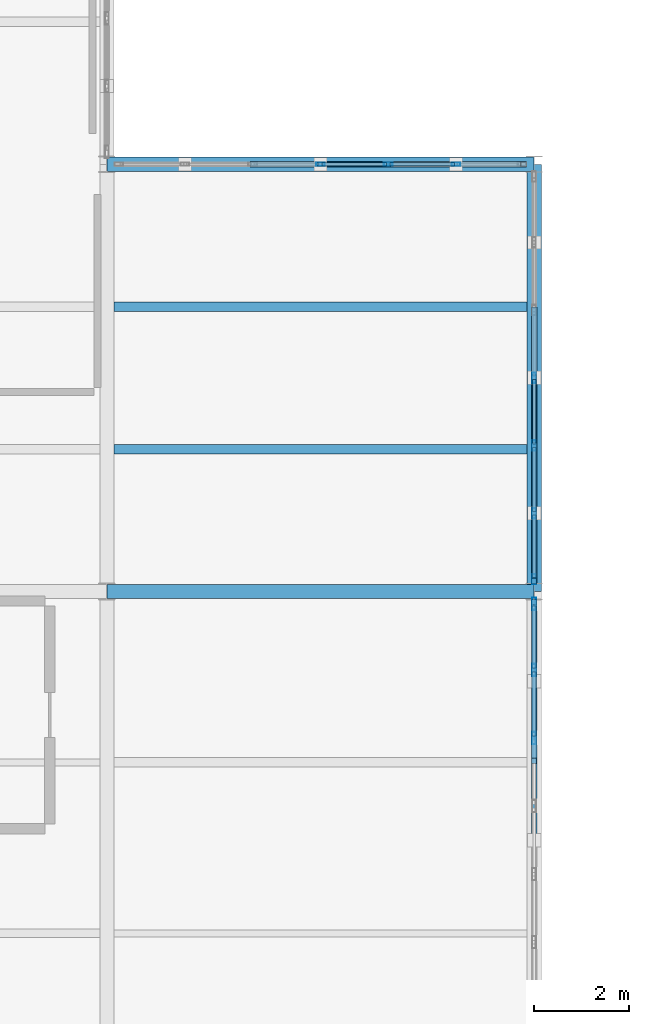
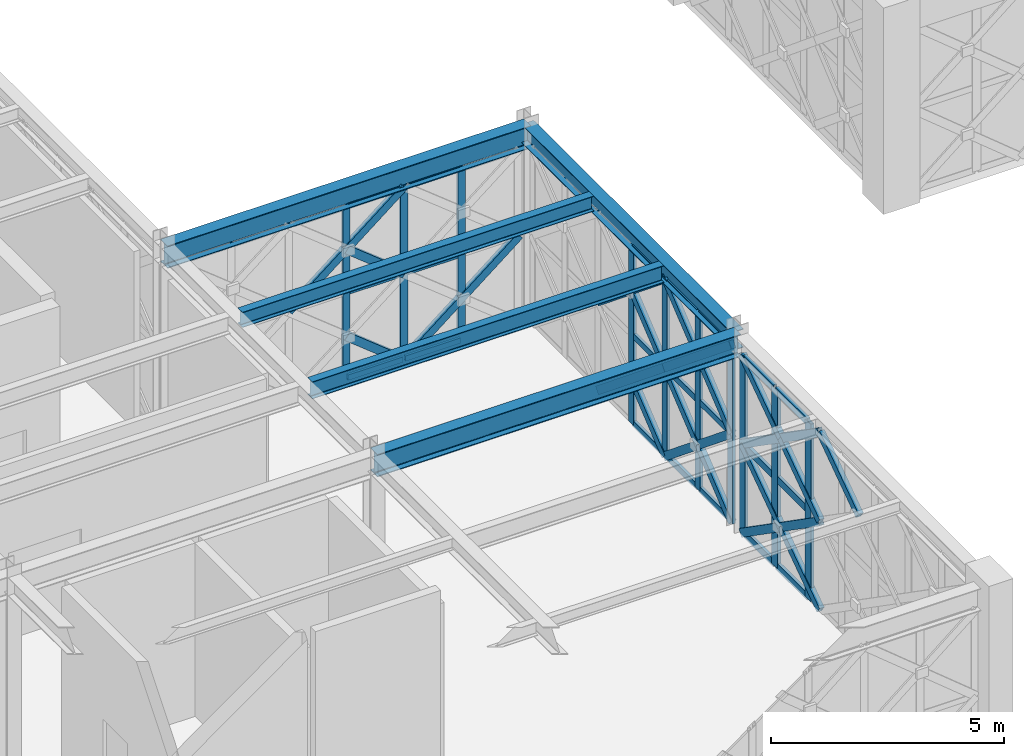
# One storey, part 43 of 166: 52 members, 5 beams, 3 elements without a shape of their own.
"""IFC4 building model written with IfcOpenShell, lengths in metres."""

import ifcopenshell
import ifcopenshell.guid

model = None  # the IFC model being written
_history = None  # IfcOwnerHistory: only IFC2X3 demands one
_inside = {}  # id of a spatial element -> (the spatial element, [elements in it])
_under = {}  # id of a project, library or spatial element -> (it, [spatial elements below it])
_declared = {}  # id of a project -> (the project, [libraries it declares])
_typed = {}  # id of a type object -> (the type object, [elements of that type])
_made_of = {}  # id of a material, layer set ... -> (it, [elements and type objects made of it])


def new_model(schema):
    """Start an empty IFC model of exactly this schema.

    Asked for "IFC4X3", IfcOpenShell would pick the latest addendum, in which some entities
    have other attributes; the version numbers below select the first issue.
    IFC2X3 requires an IfcOwnerHistory on every rooted entity: one is made here for all.
    """
    global model, _history
    if schema == "IFC4X3":
        model = ifcopenshell.file(schema_version=(4, 3, 0, 0))
    else:
        model = ifcopenshell.file(schema=schema)
    _inside.clear()
    _under.clear()
    _declared.clear()
    _typed.clear()
    _made_of.clear()
    _history = None
    if model.schema == "IFC2X3":
        org = make("IfcOrganization", Name="unknown")
        user = make(
            "IfcPersonAndOrganization",
            ThePerson=make("IfcPerson", FamilyName="unknown"),
            TheOrganization=org,
        )
        app = make(
            "IfcApplication",
            ApplicationDeveloper=org,
            Version="unknown",
            ApplicationFullName="unknown",
            ApplicationIdentifier="unknown",
        )
        _history = make(
            "IfcOwnerHistory",
            OwningUser=user,
            OwningApplication=app,
            ChangeAction="ADDED",
            CreationDate=0,
        )
    return model


def make(cls, **values):
    """One entity of the class cls with the attributes given. An attribute that is None is left unset."""
    return model.create_entity(
        cls, **{name: value for name, value in values.items() if value is not None}
    )


def rooted(cls, **values):
    """An entity with a GlobalId (a new one), such as an element, a storey or a relation."""
    return make(cls, GlobalId=ifcopenshell.guid.new(), OwnerHistory=_history, **values)


def si_unit(unit_type, name, prefix=None):
    """IfcSIUnit, for example si_unit("LENGTHUNIT", "METRE", prefix="MILLI")."""
    return make("IfcSIUnit", UnitType=unit_type, Prefix=prefix, Name=name)


def assignment(units):
    """IfcUnitAssignment: the units of a project."""
    return None if units is None else make("IfcUnitAssignment", Units=units)


def point(xyz):
    """IfcCartesianPoint."""
    return None if xyz is None else make("IfcCartesianPoint", Coordinates=xyz)


def direction(xyz):
    """IfcDirection."""
    return None if xyz is None else make("IfcDirection", DirectionRatios=xyz)


def frame(location, z_axis=None, x_axis=None):
    """IfcAxis2Placement3D, a coordinate frame: its origin and axes. An axis left out is left unset."""
    return make(
        "IfcAxis2Placement3D",
        Location=point(location),
        Axis=direction(z_axis),
        RefDirection=direction(x_axis),
    )


def frame_2d(location, x_axis=None):
    """IfcAxis2Placement2D, a coordinate frame in the plane: its origin and x axis."""
    return make(
        "IfcAxis2Placement2D", Location=point(location), RefDirection=direction(x_axis)
    )


def origin():
    """The frame at (0, 0, 0) with its axes left unset."""
    return frame((0.0, 0.0, 0.0))


def origin_2d():
    """The frame at (0, 0) in the plane with its x axis left unset."""
    return frame_2d((0.0, 0.0))


def place(relative_to, where):
    """IfcLocalPlacement: puts the frame where relative to a parent placement (None: the world)."""
    return make(
        "IfcLocalPlacement", PlacementRelTo=relative_to, RelativePlacement=where
    )


def context(
    kind, dimensions, precision=None, world=None, true_north=None, identifier=None
):
    """IfcGeometricRepresentationContext, for example the 3D "Model" context."""
    return make(
        "IfcGeometricRepresentationContext",
        ContextIdentifier=identifier,
        ContextType=kind,
        CoordinateSpaceDimension=dimensions,
        Precision=precision,
        WorldCoordinateSystem=world,
        TrueNorth=true_north,
    )


def subcontext(parent, identifier, kind, view, scale=None):
    """IfcGeometricRepresentationSubContext, for example "Body" below "Model"."""
    return make(
        "IfcGeometricRepresentationSubContext",
        ContextIdentifier=identifier,
        ContextType=kind,
        ParentContext=parent,
        TargetScale=scale,
        TargetView=view,
    )


def project(units=None, contexts=None):
    """IfcProject with its units and contexts."""
    return rooted(
        "IfcProject",
        Name="project",
        RepresentationContexts=contexts,
        UnitsInContext=assignment(units),
    )


def spatial(cls, under=None, at=None, **own):
    """A site, building, storey or space (cls), placed at a placement, below another one or the project."""
    s = rooted(cls, ObjectPlacement=at, **own)
    if under is not None:
        _under.setdefault(under.id(), (under, []))[1].append(s)
    return s


def profile(cls, at=None, kind="AREA", **sizes):
    """A parametric profile (cls). Its sizes go by their IFC names, for example OverallWidth=200.0."""
    return make(cls, ProfileType=kind, Position=at, **sizes)


def hollow_rectangle(**sizes):
    """IfcRectangleHollowProfileDef."""
    return profile("IfcRectangleHollowProfileDef", **sizes)


def i_section(**sizes):
    """IfcIShapeProfileDef."""
    return profile("IfcIShapeProfileDef", **sizes)


def extrude(swept, where, along, depth):
    """IfcExtrudedAreaSolid: the profile swept, set in the frame where, extruded along a direction by depth."""
    return make(
        "IfcExtrudedAreaSolid",
        SweptArea=swept,
        Position=where,
        ExtrudedDirection=direction(along),
        Depth=depth,
    )


def shape(context_of_items, identifier, shape_type, items):
    """IfcShapeRepresentation: the items that make up one representation, for example the "Body"."""
    return make(
        "IfcShapeRepresentation",
        ContextOfItems=context_of_items,
        RepresentationIdentifier=identifier,
        RepresentationType=shape_type,
        Items=items,
    )


def material(Name=None, Category=None):
    """IfcMaterial."""
    return make("IfcMaterial", Name=Name, Category=Category)


def material_profile(
    of_material, cross_section, Name=None, Category=None, Priority=None
):
    """IfcMaterialProfile: a cross section and its material."""
    return make(
        "IfcMaterialProfile",
        Name=Name,
        Material=of_material,
        Profile=cross_section,
        Priority=Priority,
        Category=Category,
    )


def profile_set(profiles, Name=None, composite=None):
    """IfcMaterialProfileSet."""
    return make(
        "IfcMaterialProfileSet",
        Name=Name,
        MaterialProfiles=profiles,
        CompositeProfile=composite,
    )


def made_of(thing, what):
    """Note that an element or type object is made of a material, layer set ...; save() writes the relation."""
    if what is not None:
        _made_of.setdefault(what.id(), (what, []))[1].append(thing)
    return thing


def type_object(cls, material=None, **own):
    """A type object (cls), such as IfcWallType, which elements share."""
    return made_of(rooted(cls, **own), material)


def element(
    cls,
    number,
    at=None,
    inside=None,
    cuts=None,
    type_object=None,
    material=None,
    context=None,
    identifier="Body",
    shape_type=None,
    held_by="IfcProductDefinitionShape",
    body=None,
    shapes=None,
    **own,
):
    """One element of the class cls, such as IfcWall. Its Tag is "e" and its number.

    at: its placement. inside: the storey or other place that contains it. cuts: it is an
    opening in that element (IfcRelVoidsElement). A single representation is given by context,
    identifier, shape_type and body (its items); several are given by shapes. held_by: the class
    of the entity that holds the representations. save() writes the other relations.
    """
    e = rooted(cls, Tag="e%d" % number, ObjectPlacement=at, **own)
    if body is not None:
        shapes = [shape(context, identifier, shape_type, body)]
    if shapes is not None:
        e.Representation = make(held_by, Representations=shapes)
    if inside is not None:
        _inside.setdefault(inside.id(), (inside, []))[1].append(e)
    if cuts is not None:
        rooted(
            "IfcRelVoidsElement", RelatingBuildingElement=cuts, RelatedOpeningElement=e
        )
    if type_object is not None:
        _typed.setdefault(type_object.id(), (type_object, []))[1].append(e)
    return made_of(e, material)


def aggregate(whole, parts):
    """IfcRelAggregates: a whole, such as a stair, and the parts it consists of."""
    return rooted("IfcRelAggregates", RelatingObject=whole, RelatedObjects=parts)


def save(model, path):
    """Write the relations noted so far, then the file.

    IfcRelAggregates (storeys below a building ...), IfcRelContainedInSpatialStructure (elements
    in a storey), IfcRelDefinesByType, IfcRelAssociatesMaterial and IfcRelDeclares: one each for
    every whole, place, type object, material and project.
    """
    for whole, parts in _under.values():
        aggregate(whole, parts)
    for where, things in _inside.values():
        rooted(
            "IfcRelContainedInSpatialStructure",
            RelatedElements=things,
            RelatingStructure=where,
        )
    for kind, things in _typed.values():
        rooted("IfcRelDefinesByType", RelatedObjects=things, RelatingType=kind)
    for what, things in _made_of.values():
        rooted("IfcRelAssociatesMaterial", RelatedObjects=things, RelatingMaterial=what)
    for by, libraries in _declared.values():
        rooted("IfcRelDeclares", RelatingContext=by, RelatedDefinitions=libraries)
    model.write(path)


model = new_model("IFC4")

# Units and contexts
model_context = context("Model", 3, precision=1e-05, world=origin(), true_north=direction((0.0, 1.0)))
body_context = subcontext(model_context, "Body", "Model", "MODEL_VIEW")
ifc_project = project(units=[si_unit("LENGTHUNIT", "METRE"), si_unit("AREAUNIT", "SQUARE_METRE"), si_unit("VOLUMEUNIT", "CUBIC_METRE"), si_unit("PLANEANGLEUNIT", "RADIAN"), si_unit("MASSUNIT", "GRAM", prefix="KILO")], contexts=[model_context])

# Site, building, storey
site_placement = place(None, origin())
site = spatial("IfcSite", under=ifc_project, at=site_placement, CompositionType="ELEMENT")
building_placement = place(site_placement, origin())
building = spatial("IfcBuilding", under=site, at=building_placement, Name="Haizhuo Lancet Aquarium", CompositionType="ELEMENT")
storey_placement = place(building_placement, frame((0.0, 0.0, 5.39990234375)))
storey = spatial("IfcBuildingStorey", under=building, at=storey_placement, Name="L01", CompositionType="ELEMENT", Elevation=5.39990234375)

# Beams
ifc_material_1 = material(Name="Steel S355", Category="steel")
ifc_material_profile_1 = material_profile(ifc_material_1, i_section(OverallWidth=0.300048828125, OverallDepth=0.488037109375, WebThickness=0.010986328125, FlangeThickness=0.01806640625, FilletRadius=0.02392578125, at=origin_2d()), Name="HM 488x300x11x18")
ifc_profile_set_1 = profile_set([ifc_material_profile_1], Name="Steel S355")
beam_type_1 = type_object("IfcBeamType", Name="BM-ST-HM488", PredefinedType="BEAM", material=ifc_profile_set_1)
beam_1_placement = place(storey_placement, frame((18.0, -45.0, 4.89599609375), z_axis=(0.0, 1.0, 0.0), x_axis=(-1.0, 0.0, 0.0)))
element("IfcBeam", 1, at=beam_1_placement, inside=storey, type_object=beam_type_1, Name="L01 V4 primary girder BM-L01-V4-027", PredefinedType="BEAM", context=body_context, shape_type="SweptSolid", body=[
    extrude(i_section(OverallWidth=0.300048828125, OverallDepth=0.488037109375, WebThickness=0.010986328125, FlangeThickness=0.01806640625, FilletRadius=0.02392578125, at=origin_2d()), origin(), (0.0, 0.0, 1.0), 9.0),
])
ifc_material_profile_2 = material_profile(ifc_material_1, i_section(OverallWidth=0.300048828125, OverallDepth=0.587890625, WebThickness=0.011962890625, FlangeThickness=0.02001953125, FilletRadius=0.02587890625, at=origin_2d()), Name="HM 588x300x12x20")
ifc_profile_set_2 = profile_set([ifc_material_profile_2], Name="Steel S355")
beam_type_2 = type_object("IfcBeamType", Name="BM-ST-HM588", PredefinedType="BEAM", material=ifc_profile_set_2)
for number, where, z_axis, x_axis, name in (
    (2, (9.0, -45.0, 4.84619140625), (1.0, 0.0, 0.0), (0.0, 1.0, 0.0), "L01 V4 primary girder BM-L01-V4-023"),
    (3, (9.0, -36.0, 4.84619140625), (1.0, 0.0, 0.0), (0.0, 1.0, 0.0), "L01 V4 primary girder BM-L01-V4-025"),
):
    element("IfcBeam", number, at=place(storey_placement, frame(where, z_axis=z_axis, x_axis=x_axis)), inside=storey, type_object=beam_type_2, Name=name, PredefinedType="BEAM", context=body_context, shape_type="SweptSolid", body=[
        extrude(i_section(OverallWidth=0.300048828125, OverallDepth=0.587890625, WebThickness=0.011962890625, FlangeThickness=0.02001953125, FilletRadius=0.02587890625, at=origin_2d()), origin(), (0.0, 0.0, 1.0), 9.0),
    ])

# Curtain wall, members
ifc_material_2 = material(Name="Aluminium 6063-T6", Category="aluminium")
curtain_wall_type_1 = type_object("IfcCurtainWallType", Name="CWO-8560x4550", PredefinedType="NOTDEFINED", material=ifc_material_2)
curtain_wall_1_placement = place(storey_placement, origin())
curtain_wall_1 = element("IfcCurtainWall", 4, at=curtain_wall_1_placement, inside=storey, type_object=curtain_wall_type_1, Name="L01 curtain wall CW-V4-L01-094", PredefinedType="NOTDEFINED")
ifc_material_profile_3 = material_profile(ifc_material_2, hollow_rectangle(XDim=0.06494140625, YDim=0.179931640625, WallThickness=0.00390625, at=origin_2d()), Name="ALU-M 65x180x4")
ifc_profile_set_3 = profile_set([ifc_material_profile_3], Name="Aluminium 6063-T6")
member_type_1 = type_object("IfcMemberType", Name="CW-MUL-1", PredefinedType="MULLION", material=ifc_profile_set_3)
member_1_placement = place(storey_placement, frame((13.5, -36.0, 0.0), z_axis=(0.0, 0.0, 1.0), x_axis=(0.0, 1.0, 0.0)))
member_1 = element("IfcMember", 5, at=member_1_placement, type_object=member_type_1, Name="CWO-85x45 mullion 4", PredefinedType="MULLION", context=body_context, shape_type="SweptSolid", body=[
    extrude(hollow_rectangle(XDim=0.06494140625, YDim=0.179931640625, WallThickness=0.00390625, at=origin_2d()), origin(), (0.0, 0.0, 1.0), 4.552001953125),
])
member_2_placement = place(storey_placement, frame((14.927001953125, -36.0, 0.0), z_axis=(0.0, 0.0, 1.0), x_axis=(0.0, 1.0, 0.0)))
member_2 = element("IfcMember", 6, at=member_2_placement, type_object=member_type_1, Name="CWO-85x45 mullion 5", PredefinedType="MULLION", context=body_context, shape_type="SweptSolid", body=[
    extrude(hollow_rectangle(XDim=0.06494140625, YDim=0.179931640625, WallThickness=0.00390625, at=origin_2d()), origin(), (0.0, 0.0, 1.0), 4.552001953125),
])
member_3_placement = place(storey_placement, frame((16.35302734375, -36.0, 0.0), z_axis=(0.0, 0.0, 1.0), x_axis=(0.0, 1.0, 0.0)))
member_3 = element("IfcMember", 7, at=member_3_placement, type_object=member_type_1, Name="CWO-85x45 mullion 6", PredefinedType="MULLION", context=body_context, shape_type="SweptSolid", body=[
    extrude(hollow_rectangle(XDim=0.06494140625, YDim=0.179931640625, WallThickness=0.00390625, at=origin_2d()), origin(), (0.0, 0.0, 1.0), 4.552001953125),
])

curtain_wall_type_2 = type_object("IfcCurtainWallType", Name="CWO-8560x4650", PredefinedType="NOTDEFINED", material=ifc_material_2)
curtain_wall_2_placement = place(storey_placement, origin())
curtain_wall_2 = element("IfcCurtainWall", 8, at=curtain_wall_2_placement, inside=storey, type_object=curtain_wall_type_2, Name="L01 curtain wall CW-V4-L01-095", PredefinedType="NOTDEFINED")
ifc_material_profile_4 = material_profile(ifc_material_2, hollow_rectangle(XDim=0.074951171875, YDim=0.219970703125, WallThickness=0.0048828125, at=origin_2d()), Name="ALU-M 75x220x5")
ifc_profile_set_4 = profile_set([ifc_material_profile_4], Name="Aluminium 6063-T6")
member_type_2 = type_object("IfcMemberType", Name="CW-MUL-2", PredefinedType="MULLION", material=ifc_profile_set_4)
member_4_placement = place(storey_placement, frame((18.0, -40.5, 0.0), z_axis=(0.0, 0.0, 1.0), x_axis=(1.0, 0.0, 0.0)))
member_4 = element("IfcMember", 9, at=member_4_placement, type_object=member_type_2, Name="CWO-85x46 mullion 4", PredefinedType="MULLION", context=body_context, shape_type="SweptSolid", body=[
    extrude(hollow_rectangle(XDim=0.074951171875, YDim=0.219970703125, WallThickness=0.0048828125, at=origin_2d()), origin(), (0.0, 0.0, 1.0), 4.652099609375),
])
member_5_placement = place(storey_placement, frame((18.0, -41.927001953125, 0.0), z_axis=(0.0, 0.0, 1.0), x_axis=(1.0, 0.0, 0.0)))
member_5 = element("IfcMember", 10, at=member_5_placement, type_object=member_type_2, Name="CWO-85x46 mullion 5", PredefinedType="MULLION", context=body_context, shape_type="SweptSolid", body=[
    extrude(hollow_rectangle(XDim=0.074951171875, YDim=0.219970703125, WallThickness=0.0048828125, at=origin_2d()), origin(), (0.0, 0.0, 1.0), 4.652099609375),
])
member_6_placement = place(storey_placement, frame((18.0, -43.35302734375, 0.0), z_axis=(0.0, 0.0, 1.0), x_axis=(1.0, 0.0, 0.0)))
member_6 = element("IfcMember", 11, at=member_6_placement, type_object=member_type_2, Name="CWO-85x46 mullion 6", PredefinedType="MULLION", context=body_context, shape_type="SweptSolid", body=[
    extrude(hollow_rectangle(XDim=0.074951171875, YDim=0.219970703125, WallThickness=0.0048828125, at=origin_2d()), origin(), (0.0, 0.0, 1.0), 4.652099609375),
])
member_7_placement = place(storey_placement, frame((18.0, -44.741943359375, 0.0), z_axis=(0.0, 0.0, 1.0), x_axis=(1.0, 0.0, 0.0)))
member_7 = element("IfcMember", 12, at=member_7_placement, type_object=member_type_2, Name="CWO-85x46 mullion 7", PredefinedType="MULLION", context=body_context, shape_type="SweptSolid", body=[
    extrude(hollow_rectangle(XDim=0.074951171875, YDim=0.219970703125, WallThickness=0.0048828125, at=origin_2d()), origin(), (0.0, 0.0, 1.0), 4.652099609375),
])

curtain_wall_type_3 = type_object("IfcCurtainWallType", Name="CWO-10040x4650", PredefinedType="NOTDEFINED", material=ifc_material_2)
curtain_wall_3_placement = place(storey_placement, origin())
curtain_wall_3 = element("IfcCurtainWall", 13, at=curtain_wall_3_placement, inside=storey, type_object=curtain_wall_type_3, Name="L01 curtain wall CW-V4-L01-096", PredefinedType="NOTDEFINED")
ifc_material_profile_5 = material_profile(ifc_material_2, hollow_rectangle(XDim=0.080078125, YDim=0.260009765625, WallThickness=0.0048828125, at=origin_2d()), Name="ALU-M 80x260x5")
ifc_profile_set_5 = profile_set([ifc_material_profile_5], Name="Aluminium 6063-T6")
member_type_3 = type_object("IfcMemberType", Name="CW-MUL-3", PredefinedType="MULLION", material=ifc_profile_set_5)
member_8_placement = place(storey_placement, frame((18.0, -45.260009765625, 0.0), z_axis=(0.0, 0.0, 1.0), x_axis=(1.0, 0.0, 0.0)))
member_8 = element("IfcMember", 14, at=member_8_placement, type_object=member_type_3, Name="CWO-100x46 mullion 1", PredefinedType="MULLION", context=body_context, shape_type="SweptSolid", body=[
    extrude(hollow_rectangle(XDim=0.080078125, YDim=0.260009765625, WallThickness=0.0048828125, at=origin_2d()), origin(), (0.0, 0.0, 1.0), 4.652099609375),
])
member_9_placement = place(storey_placement, frame((18.0, -46.654052734375, 0.0), z_axis=(0.0, 0.0, 1.0), x_axis=(1.0, 0.0, 0.0)))
member_9 = element("IfcMember", 15, at=member_9_placement, type_object=member_type_3, Name="CWO-100x46 mullion 2", PredefinedType="MULLION", context=body_context, shape_type="SweptSolid", body=[
    extrude(hollow_rectangle(XDim=0.080078125, YDim=0.260009765625, WallThickness=0.0048828125, at=origin_2d()), origin(), (0.0, 0.0, 1.0), 4.652099609375),
])
member_10_placement = place(storey_placement, frame((18.0, -48.0869140625, 0.0), z_axis=(0.0, 0.0, 1.0), x_axis=(1.0, 0.0, 0.0)))
member_10 = element("IfcMember", 16, at=member_10_placement, type_object=member_type_3, Name="CWO-100x46 mullion 3", PredefinedType="MULLION", context=body_context, shape_type="SweptSolid", body=[
    extrude(hollow_rectangle(XDim=0.080078125, YDim=0.260009765625, WallThickness=0.0048828125, at=origin_2d()), origin(), (0.0, 0.0, 1.0), 4.652099609375),
])

# Member
ifc_material_profile_6 = material_profile(ifc_material_2, hollow_rectangle(XDim=0.06494140625, YDim=0.139892578125, WallThickness=0.00390625, at=origin_2d()), Name="ALU-T 65x140x4")
ifc_profile_set_6 = profile_set([ifc_material_profile_6], Name="Aluminium 6063-T6")
member_type_4 = type_object("IfcMemberType", Name="CW-TRN-1", PredefinedType="NOTDEFINED", material=ifc_profile_set_6)
member_11_placement = place(storey_placement, frame((13.532958984375, -36.0, 0.033203125), z_axis=(1.0, 0.0, 0.0), x_axis=(0.0, 1.0, 0.0)))
member_11 = element("IfcMember", 17, at=member_11_placement, type_object=member_type_4, Name="CWO-85x45 transom 4.1", ObjectType="TRANSOM", PredefinedType="USERDEFINED", context=body_context, shape_type="SweptSolid", body=[
    extrude(hollow_rectangle(XDim=0.06494140625, YDim=0.139892578125, WallThickness=0.00390625, at=origin_2d()), origin(), (0.0, 0.0, 1.0), 1.361083984375),
])

member_12_placement = place(storey_placement, frame((13.532958984375, -36.0, 2.276123046875), z_axis=(1.0, 0.0, 0.0), x_axis=(0.0, 1.0, 0.0)))
member_12 = element("IfcMember", 18, at=member_12_placement, type_object=member_type_4, Name="CWO-85x45 transom 4.2", ObjectType="TRANSOM", PredefinedType="USERDEFINED", context=body_context, shape_type="SweptSolid", body=[
    extrude(hollow_rectangle(XDim=0.06494140625, YDim=0.139892578125, WallThickness=0.00390625, at=origin_2d()), origin(), (0.0, 0.0, 1.0), 1.361083984375),
])

member_13_placement = place(storey_placement, frame((13.532958984375, -36.0, 4.51904296875), z_axis=(1.0, 0.0, 0.0), x_axis=(0.0, 1.0, 0.0)))
member_13 = element("IfcMember", 19, at=member_13_placement, type_object=member_type_4, Name="CWO-85x45 transom 4.3", ObjectType="TRANSOM", PredefinedType="USERDEFINED", context=body_context, shape_type="SweptSolid", body=[
    extrude(hollow_rectangle(XDim=0.06494140625, YDim=0.139892578125, WallThickness=0.00390625, at=origin_2d()), origin(), (0.0, 0.0, 1.0), 1.361083984375),
])

member_14_placement = place(storey_placement, frame((14.958984375, -36.0, 0.033203125), z_axis=(1.0, 0.0, 0.0), x_axis=(0.0, 1.0, 0.0)))
member_14 = element("IfcMember", 20, at=member_14_placement, type_object=member_type_4, Name="CWO-85x45 transom 5.1", ObjectType="TRANSOM", PredefinedType="USERDEFINED", context=body_context, shape_type="SweptSolid", body=[
    extrude(hollow_rectangle(XDim=0.06494140625, YDim=0.139892578125, WallThickness=0.00390625, at=origin_2d()), origin(), (0.0, 0.0, 1.0), 1.362060546875),
])

member_15_placement = place(storey_placement, frame((14.958984375, -36.0, 2.276123046875), z_axis=(1.0, 0.0, 0.0), x_axis=(0.0, 1.0, 0.0)))
member_15 = element("IfcMember", 21, at=member_15_placement, type_object=member_type_4, Name="CWO-85x45 transom 5.2", ObjectType="TRANSOM", PredefinedType="USERDEFINED", context=body_context, shape_type="SweptSolid", body=[
    extrude(hollow_rectangle(XDim=0.06494140625, YDim=0.139892578125, WallThickness=0.00390625, at=origin_2d()), origin(), (0.0, 0.0, 1.0), 1.362060546875),
])

member_16_placement = place(storey_placement, frame((14.958984375, -36.0, 4.51904296875), z_axis=(1.0, 0.0, 0.0), x_axis=(0.0, 1.0, 0.0)))
member_16 = element("IfcMember", 22, at=member_16_placement, type_object=member_type_4, Name="CWO-85x45 transom 5.3", ObjectType="TRANSOM", PredefinedType="USERDEFINED", context=body_context, shape_type="SweptSolid", body=[
    extrude(hollow_rectangle(XDim=0.06494140625, YDim=0.139892578125, WallThickness=0.00390625, at=origin_2d()), origin(), (0.0, 0.0, 1.0), 1.362060546875),
])

aggregate(curtain_wall_1, [member_1, member_2, member_3, member_11, member_12, member_13, member_14, member_15, member_16])

ifc_material_profile_7 = material_profile(ifc_material_2, hollow_rectangle(XDim=0.074951171875, YDim=0.159912109375, WallThickness=0.00390625, at=origin_2d()), Name="ALU-T 75x160x4")
ifc_profile_set_7 = profile_set([ifc_material_profile_7], Name="Aluminium 6063-T6")
member_type_5 = type_object("IfcMemberType", Name="CW-TRN-2", PredefinedType="NOTDEFINED", material=ifc_profile_set_7)
member_17_placement = place(storey_placement, frame((18.0, -40.5380859375, 0.0380859375), z_axis=(0.0, -1.0, 0.0), x_axis=(1.0, 0.0, 0.0)))
member_17 = element("IfcMember", 23, at=member_17_placement, type_object=member_type_5, Name="CWO-85x46 transom 4.1", ObjectType="TRANSOM", PredefinedType="USERDEFINED", context=body_context, shape_type="SweptSolid", body=[
    extrude(hollow_rectangle(XDim=0.074951171875, YDim=0.159912109375, WallThickness=0.00390625, at=origin_2d()), origin(), (0.0, 0.0, 1.0), 1.350830078125),
])

member_18_placement = place(storey_placement, frame((18.0, -40.5380859375, 2.326171875), z_axis=(0.0, -1.0, 0.0), x_axis=(1.0, 0.0, 0.0)))
member_18 = element("IfcMember", 24, at=member_18_placement, type_object=member_type_5, Name="CWO-85x46 transom 4.2", ObjectType="TRANSOM", PredefinedType="USERDEFINED", context=body_context, shape_type="SweptSolid", body=[
    extrude(hollow_rectangle(XDim=0.074951171875, YDim=0.159912109375, WallThickness=0.00390625, at=origin_2d()), origin(), (0.0, 0.0, 1.0), 1.350830078125),
])

member_19_placement = place(storey_placement, frame((18.0, -40.5380859375, 4.614013671875), z_axis=(0.0, -1.0, 0.0), x_axis=(1.0, 0.0, 0.0)))
member_19 = element("IfcMember", 25, at=member_19_placement, type_object=member_type_5, Name="CWO-85x46 transom 4.3", ObjectType="TRANSOM", PredefinedType="USERDEFINED", context=body_context, shape_type="SweptSolid", body=[
    extrude(hollow_rectangle(XDim=0.074951171875, YDim=0.159912109375, WallThickness=0.00390625, at=origin_2d()), origin(), (0.0, 0.0, 1.0), 1.350830078125),
])

member_20_placement = place(storey_placement, frame((18.0, -41.964111328125, 0.0380859375), z_axis=(0.0, -1.0, 0.0), x_axis=(1.0, 0.0, 0.0)))
member_20 = element("IfcMember", 26, at=member_20_placement, type_object=member_type_5, Name="CWO-85x46 transom 5.1", ObjectType="TRANSOM", PredefinedType="USERDEFINED", context=body_context, shape_type="SweptSolid", body=[
    extrude(hollow_rectangle(XDim=0.074951171875, YDim=0.159912109375, WallThickness=0.00390625, at=origin_2d()), origin(), (0.0, 0.0, 1.0), 1.351806640625),
])

member_21_placement = place(storey_placement, frame((18.0, -41.964111328125, 2.326171875), z_axis=(0.0, -1.0, 0.0), x_axis=(1.0, 0.0, 0.0)))
member_21 = element("IfcMember", 27, at=member_21_placement, type_object=member_type_5, Name="CWO-85x46 transom 5.2", ObjectType="TRANSOM", PredefinedType="USERDEFINED", context=body_context, shape_type="SweptSolid", body=[
    extrude(hollow_rectangle(XDim=0.074951171875, YDim=0.159912109375, WallThickness=0.00390625, at=origin_2d()), origin(), (0.0, 0.0, 1.0), 1.351806640625),
])

member_22_placement = place(storey_placement, frame((18.0, -41.964111328125, 4.614013671875), z_axis=(0.0, -1.0, 0.0), x_axis=(1.0, 0.0, 0.0)))
member_22 = element("IfcMember", 28, at=member_22_placement, type_object=member_type_5, Name="CWO-85x46 transom 5.3", ObjectType="TRANSOM", PredefinedType="USERDEFINED", context=body_context, shape_type="SweptSolid", body=[
    extrude(hollow_rectangle(XDim=0.074951171875, YDim=0.159912109375, WallThickness=0.00390625, at=origin_2d()), origin(), (0.0, 0.0, 1.0), 1.351806640625),
])

member_23_placement = place(storey_placement, frame((18.0, -43.39111328125, 0.0380859375), z_axis=(0.0, -1.0, 0.0), x_axis=(1.0, 0.0, 0.0)))
member_23 = element("IfcMember", 29, at=member_23_placement, type_object=member_type_5, Name="CWO-85x46 transom 6.1", ObjectType="TRANSOM", PredefinedType="USERDEFINED", context=body_context, shape_type="SweptSolid", body=[
    extrude(hollow_rectangle(XDim=0.074951171875, YDim=0.159912109375, WallThickness=0.00390625, at=origin_2d()), origin(), (0.0, 0.0, 1.0), 1.31396484375),
])

member_24_placement = place(storey_placement, frame((18.0, -43.39111328125, 2.326171875), z_axis=(0.0, -1.0, 0.0), x_axis=(1.0, 0.0, 0.0)))
member_24 = element("IfcMember", 30, at=member_24_placement, type_object=member_type_5, Name="CWO-85x46 transom 6.2", ObjectType="TRANSOM", PredefinedType="USERDEFINED", context=body_context, shape_type="SweptSolid", body=[
    extrude(hollow_rectangle(XDim=0.074951171875, YDim=0.159912109375, WallThickness=0.00390625, at=origin_2d()), origin(), (0.0, 0.0, 1.0), 1.31396484375),
])

member_25_placement = place(storey_placement, frame((18.0, -43.39111328125, 4.614013671875), z_axis=(0.0, -1.0, 0.0), x_axis=(1.0, 0.0, 0.0)))
member_25 = element("IfcMember", 31, at=member_25_placement, type_object=member_type_5, Name="CWO-85x46 transom 6.3", ObjectType="TRANSOM", PredefinedType="USERDEFINED", context=body_context, shape_type="SweptSolid", body=[
    extrude(hollow_rectangle(XDim=0.074951171875, YDim=0.159912109375, WallThickness=0.00390625, at=origin_2d()), origin(), (0.0, 0.0, 1.0), 1.31396484375),
])

aggregate(curtain_wall_2, [member_4, member_5, member_6, member_7, member_17, member_18, member_19, member_20, member_21, member_22, member_23, member_24, member_25])

ifc_material_profile_8 = material_profile(ifc_material_2, hollow_rectangle(XDim=0.080078125, YDim=0.18994140625, WallThickness=0.0048828125, at=origin_2d()), Name="ALU-T 80x190x5")
ifc_profile_set_8 = profile_set([ifc_material_profile_8], Name="Aluminium 6063-T6")
member_type_6 = type_object("IfcMemberType", Name="CW-TRN-3", PredefinedType="NOTDEFINED", material=ifc_profile_set_8)
member_26_placement = place(storey_placement, frame((18.0, -45.300048828125, 0.0400390625), z_axis=(0.0, -1.0, 0.0), x_axis=(1.0, 0.0, 0.0)))
member_26 = element("IfcMember", 32, at=member_26_placement, type_object=member_type_6, Name="CWO-100x46 transom 1.1", ObjectType="TRANSOM", PredefinedType="USERDEFINED", context=body_context, shape_type="SweptSolid", body=[
    extrude(hollow_rectangle(XDim=0.080078125, YDim=0.18994140625, WallThickness=0.0048828125, at=origin_2d()), origin(), (0.0, 0.0, 1.0), 1.31396484375),
])

member_27_placement = place(storey_placement, frame((18.0, -45.300048828125, 2.326171875), z_axis=(0.0, -1.0, 0.0), x_axis=(1.0, 0.0, 0.0)))
member_27 = element("IfcMember", 33, at=member_27_placement, type_object=member_type_6, Name="CWO-100x46 transom 1.2", ObjectType="TRANSOM", PredefinedType="USERDEFINED", context=body_context, shape_type="SweptSolid", body=[
    extrude(hollow_rectangle(XDim=0.080078125, YDim=0.18994140625, WallThickness=0.0048828125, at=origin_2d()), origin(), (0.0, 0.0, 1.0), 1.31396484375),
])

member_28_placement = place(storey_placement, frame((18.0, -45.300048828125, 4.612060546875), z_axis=(0.0, -1.0, 0.0), x_axis=(1.0, 0.0, 0.0)))
member_28 = element("IfcMember", 34, at=member_28_placement, type_object=member_type_6, Name="CWO-100x46 transom 1.3", ObjectType="TRANSOM", PredefinedType="USERDEFINED", context=body_context, shape_type="SweptSolid", body=[
    extrude(hollow_rectangle(XDim=0.080078125, YDim=0.18994140625, WallThickness=0.0048828125, at=origin_2d()), origin(), (0.0, 0.0, 1.0), 1.31396484375),
])

member_29_placement = place(storey_placement, frame((18.0, -46.694091796875, 0.0400390625), z_axis=(0.0, -1.0, 0.0), x_axis=(1.0, 0.0, 0.0)))
member_29 = element("IfcMember", 35, at=member_29_placement, type_object=member_type_6, Name="CWO-100x46 transom 2.1", ObjectType="TRANSOM", PredefinedType="USERDEFINED", context=body_context, shape_type="SweptSolid", body=[
    extrude(hollow_rectangle(XDim=0.080078125, YDim=0.18994140625, WallThickness=0.0048828125, at=origin_2d()), origin(), (0.0, 0.0, 1.0), 1.35302734375),
])

member_30_placement = place(storey_placement, frame((18.0, -46.694091796875, 2.326171875), z_axis=(0.0, -1.0, 0.0), x_axis=(1.0, 0.0, 0.0)))
member_30 = element("IfcMember", 36, at=member_30_placement, type_object=member_type_6, Name="CWO-100x46 transom 2.2", ObjectType="TRANSOM", PredefinedType="USERDEFINED", context=body_context, shape_type="SweptSolid", body=[
    extrude(hollow_rectangle(XDim=0.080078125, YDim=0.18994140625, WallThickness=0.0048828125, at=origin_2d()), origin(), (0.0, 0.0, 1.0), 1.35302734375),
])

member_31_placement = place(storey_placement, frame((18.0, -46.694091796875, 4.612060546875), z_axis=(0.0, -1.0, 0.0), x_axis=(1.0, 0.0, 0.0)))
member_31 = element("IfcMember", 37, at=member_31_placement, type_object=member_type_6, Name="CWO-100x46 transom 2.3", ObjectType="TRANSOM", PredefinedType="USERDEFINED", context=body_context, shape_type="SweptSolid", body=[
    extrude(hollow_rectangle(XDim=0.080078125, YDim=0.18994140625, WallThickness=0.0048828125, at=origin_2d()), origin(), (0.0, 0.0, 1.0), 1.35302734375),
])

aggregate(curtain_wall_3, [member_8, member_9, member_10, member_26, member_27, member_28, member_29, member_30, member_31])

# Beams
ifc_material_profile_9 = material_profile(ifc_material_1, i_section(OverallWidth=0.199951171875, OverallDepth=0.39990234375, WebThickness=0.008056640625, FlangeThickness=0.012939453125, FilletRadius=0.01611328125, at=origin_2d()), Name="HN 400x200x8x13")
ifc_profile_set_9 = profile_set([ifc_material_profile_9], Name="Steel S355")
beam_type_3 = type_object("IfcBeamType", Name="JST-ST-HN400", PredefinedType="JOIST", material=ifc_profile_set_9)
beam_2_placement = place(storey_placement, frame((9.14990234375, -39.0, 4.940185546875), z_axis=(1.0, 0.0, 0.0), x_axis=(0.0, 1.0, 0.0)))
element("IfcBeam", 38, at=beam_2_placement, inside=storey, type_object=beam_type_3, Name="L01 V4 secondary floor joist 20", PredefinedType="JOIST", context=body_context, shape_type="SweptSolid", body=[
    extrude(i_section(OverallWidth=0.199951171875, OverallDepth=0.39990234375, WebThickness=0.008056640625, FlangeThickness=0.012939453125, FilletRadius=0.01611328125, at=origin_2d()), origin(), (0.0, 0.0, 1.0), 8.7001953125),
])
ifc_material_profile_10 = material_profile(ifc_material_1, i_section(OverallWidth=0.199951171875, OverallDepth=0.449951171875, WebThickness=0.009033203125, FlangeThickness=0.013916015625, FilletRadius=0.01806640625, at=origin_2d()), Name="HN 450x200x9x14")
ifc_profile_set_10 = profile_set([ifc_material_profile_10], Name="Steel S355")
beam_type_4 = type_object("IfcBeamType", Name="JST-ST-HN450", PredefinedType="JOIST", material=ifc_profile_set_10)
beam_3_placement = place(storey_placement, frame((9.14990234375, -42.0, 4.9150390625), z_axis=(1.0, 0.0, 0.0), x_axis=(0.0, 1.0, 0.0)))
element("IfcBeam", 39, at=beam_3_placement, inside=storey, type_object=beam_type_4, Name="L01 V4 secondary floor joist 19", PredefinedType="JOIST", context=body_context, shape_type="SweptSolid", body=[
    extrude(i_section(OverallWidth=0.199951171875, OverallDepth=0.449951171875, WebThickness=0.009033203125, FlangeThickness=0.013916015625, FilletRadius=0.01806640625, at=origin_2d()), origin(), (0.0, 0.0, 1.0), 8.7001953125),
])

# Members
ifc_material_profile_11 = material_profile(ifc_material_1, hollow_rectangle(XDim=0.1201171875, YDim=0.199951171875, WallThickness=0.008056640625, at=origin_2d()), Name="RHS 120x200x8")
ifc_profile_set_11 = profile_set([ifc_material_profile_11], Name="Steel S355")
member_type_7 = type_object("IfcMemberType", Name="MEM-LB-RHS120x200", PredefinedType="BRACE", material=ifc_profile_set_11)
member_32_placement = place(storey_placement, frame((14.927001953125, -36.0, 0.0), z_axis=(-0.781781404101, 0.0, 0.623552592972), x_axis=(0.0, -1.0, 0.0)))
element("IfcMember", 40, at=member_32_placement, inside=storey, type_object=member_type_7, Name="Gothic lancet split diagonal brace CW-V4-L01-094 3B1", PredefinedType="BRACE", context=body_context, shape_type="SweptSolid", body=[
    extrude(hollow_rectangle(XDim=0.1201171875, YDim=0.199951171875, WallThickness=0.008056640625, at=origin_2d()), origin(), (0.0, 0.0, 1.0), 1.825439453125),
])
member_33_placement = place(storey_placement, frame((12.072998046875, -36.0, 2.276123046875), z_axis=(0.781846607014, 0.0, 0.623470835807), x_axis=(0.0, 1.0, 0.0)))
element("IfcMember", 41, at=member_33_placement, inside=storey, type_object=member_type_7, Name="Gothic lancet continuous diagonal brace CW-V4-L01-094 4A", PredefinedType="BRACE", context=body_context, shape_type="SweptSolid", body=[
    extrude(hollow_rectangle(XDim=0.1201171875, YDim=0.199951171875, WallThickness=0.008056640625, at=origin_2d()), origin(), (0.0, 0.0, 1.0), 3.650390625),
])
member_34_placement = place(storey_placement, frame((14.927001953125, -36.0, 2.276123046875), z_axis=(-0.781846607014, 0.0, 0.623470835807), x_axis=(0.0, -1.0, 0.0)))
element("IfcMember", 42, at=member_34_placement, inside=storey, type_object=member_type_7, Name="Gothic lancet split diagonal brace CW-V4-L01-094 4B1", PredefinedType="BRACE", context=body_context, shape_type="SweptSolid", body=[
    extrude(hollow_rectangle(XDim=0.1201171875, YDim=0.199951171875, WallThickness=0.008056640625, at=origin_2d()), origin(), (0.0, 0.0, 1.0), 1.8251953125),
])
member_35_placement = place(storey_placement, frame((14.927001953125, -36.0, 0.0), z_axis=(0.781709971476, 0.0, 0.623642141372), x_axis=(0.0, 1.0, 0.0)))
element("IfcMember", 43, at=member_35_placement, inside=storey, type_object=member_type_7, Name="Gothic lancet continuous diagonal brace CW-V4-L01-094 5A", PredefinedType="BRACE", context=body_context, shape_type="SweptSolid", body=[
    extrude(hollow_rectangle(XDim=0.1201171875, YDim=0.199951171875, WallThickness=0.008056640625, at=origin_2d()), origin(), (0.0, 0.0, 1.0), 3.649658203125),
])
member_36_placement = place(storey_placement, frame((18.0, -39.072998046875, 0.0), z_axis=(0.0, -0.77514357805, 0.631785116481), x_axis=(1.0, 0.0, 0.0)))
element("IfcMember", 44, at=member_36_placement, inside=storey, type_object=member_type_7, Name="Gothic lancet continuous diagonal brace CW-V4-L01-095 3A", PredefinedType="BRACE", context=body_context, shape_type="SweptSolid", body=[
    extrude(hollow_rectangle(XDim=0.1201171875, YDim=0.199951171875, WallThickness=0.008056640625, at=origin_2d()), origin(), (0.0, 0.0, 1.0), 3.681884765625),
])
member_37_placement = place(storey_placement, frame((18.0, -41.927001953125, 0.0), z_axis=(0.0, 0.77514357805, 0.631785116481), x_axis=(-1.0, 0.0, 0.0)))
element("IfcMember", 45, at=member_37_placement, inside=storey, type_object=member_type_7, Name="Gothic lancet split diagonal brace CW-V4-L01-095 3B1", PredefinedType="BRACE", context=body_context, shape_type="SweptSolid", body=[
    extrude(hollow_rectangle(XDim=0.1201171875, YDim=0.199951171875, WallThickness=0.008056640625, at=origin_2d()), origin(), (0.0, 0.0, 1.0), 1.841064453125),
])
member_38_placement = place(storey_placement, frame((18.0, -39.072998046875, 2.326171875), z_axis=(0.0, -0.775176051146, 0.63174527282), x_axis=(1.0, 0.0, 0.0)))
element("IfcMember", 46, at=member_38_placement, inside=storey, type_object=member_type_7, Name="Gothic lancet continuous diagonal brace CW-V4-L01-095 4A", PredefinedType="BRACE", context=body_context, shape_type="SweptSolid", body=[
    extrude(hollow_rectangle(XDim=0.1201171875, YDim=0.199951171875, WallThickness=0.008056640625, at=origin_2d()), origin(), (0.0, 0.0, 1.0), 3.681640625),
])
member_39_placement = place(storey_placement, frame((18.0, -41.927001953125, 2.326171875), z_axis=(0.0, 0.775208524913, 0.631705424151), x_axis=(-1.0, 0.0, 0.0)))
element("IfcMember", 47, at=member_39_placement, inside=storey, type_object=member_type_7, Name="Gothic lancet split diagonal brace CW-V4-L01-095 4B1", PredefinedType="BRACE", context=body_context, shape_type="SweptSolid", body=[
    extrude(hollow_rectangle(XDim=0.1201171875, YDim=0.199951171875, WallThickness=0.008056640625, at=origin_2d()), origin(), (0.0, 0.0, 1.0), 1.8408203125),
])
member_40_placement = place(storey_placement, frame((18.0, -41.927001953125, 0.0), z_axis=(0.0, -0.775037676978, 0.631915025351), x_axis=(1.0, 0.0, 0.0)))
element("IfcMember", 48, at=member_40_placement, inside=storey, type_object=member_type_7, Name="Gothic lancet continuous diagonal brace CW-V4-L01-095 5A", PredefinedType="BRACE", context=body_context, shape_type="SweptSolid", body=[
    extrude(hollow_rectangle(XDim=0.1201171875, YDim=0.199951171875, WallThickness=0.008056640625, at=origin_2d()), origin(), (0.0, 0.0, 1.0), 3.68115234375),
])
member_41_placement = place(storey_placement, frame((18.0, -44.780029296875, 0.0), z_axis=(0.0, 0.77514357805, 0.631785116481), x_axis=(-1.0, 0.0, 0.0)))
element("IfcMember", 49, at=member_41_placement, inside=storey, type_object=member_type_7, Name="Gothic lancet split diagonal brace CW-V4-L01-095 5B1", PredefinedType="BRACE", context=body_context, shape_type="SweptSolid", body=[
    extrude(hollow_rectangle(XDim=0.1201171875, YDim=0.199951171875, WallThickness=0.008056640625, at=origin_2d()), origin(), (0.0, 0.0, 1.0), 1.841064453125),
])
member_42_placement = place(storey_placement, frame((18.0, -43.35302734375, 1.1630859375), z_axis=(0.0, 0.774931710564, 0.63204496989), x_axis=(-1.0, 0.0, 0.0)))
element("IfcMember", 50, at=member_42_placement, inside=storey, type_object=member_type_7, Name="Gothic lancet split diagonal brace CW-V4-L01-095 5B2", PredefinedType="BRACE", context=body_context, shape_type="SweptSolid", body=[
    extrude(hollow_rectangle(XDim=0.1201171875, YDim=0.199951171875, WallThickness=0.008056640625, at=origin_2d()), origin(), (0.0, 0.0, 1.0), 1.840087890625),
])
member_43_placement = place(storey_placement, frame((18.0, -41.927001953125, 2.326171875), z_axis=(0.0, -0.775070158992, 0.631875184384), x_axis=(1.0, 0.0, 0.0)))
element("IfcMember", 51, at=member_43_placement, inside=storey, type_object=member_type_7, Name="Gothic lancet continuous diagonal brace CW-V4-L01-095 6A", PredefinedType="BRACE", context=body_context, shape_type="SweptSolid", body=[
    extrude(hollow_rectangle(XDim=0.1201171875, YDim=0.199951171875, WallThickness=0.008056640625, at=origin_2d()), origin(), (0.0, 0.0, 1.0), 3.680908203125),
])
member_44_placement = place(storey_placement, frame((18.0, -44.780029296875, 2.326171875), z_axis=(0.0, 0.775208524913, 0.631705424151), x_axis=(-1.0, 0.0, 0.0)))
element("IfcMember", 52, at=member_44_placement, inside=storey, type_object=member_type_7, Name="Gothic lancet split diagonal brace CW-V4-L01-095 6B1", PredefinedType="BRACE", context=body_context, shape_type="SweptSolid", body=[
    extrude(hollow_rectangle(XDim=0.1201171875, YDim=0.199951171875, WallThickness=0.008056640625, at=origin_2d()), origin(), (0.0, 0.0, 1.0), 1.8408203125),
])
member_45_placement = place(storey_placement, frame((18.0, -43.35302734375, 3.489013671875), z_axis=(0.0, 0.774931710564, 0.63204496989), x_axis=(-1.0, 0.0, 0.0)))
element("IfcMember", 53, at=member_45_placement, inside=storey, type_object=member_type_7, Name="Gothic lancet split diagonal brace CW-V4-L01-095 6B2", PredefinedType="BRACE", context=body_context, shape_type="SweptSolid", body=[
    extrude(hollow_rectangle(XDim=0.1201171875, YDim=0.199951171875, WallThickness=0.008056640625, at=origin_2d()), origin(), (0.0, 0.0, 1.0), 1.840087890625),
])
member_46_placement = place(storey_placement, frame((18.0, -45.219970703125, 0.0), z_axis=(0.0, -0.820993128735, 0.570938072447), x_axis=(1.0, 0.0, 0.0)))
element("IfcMember", 54, at=member_46_placement, inside=storey, type_object=member_type_7, Name="Gothic lancet continuous diagonal brace CW-V4-L01-096 1A", PredefinedType="BRACE", context=body_context, shape_type="SweptSolid", body=[
    extrude(hollow_rectangle(XDim=0.1201171875, YDim=0.199951171875, WallThickness=0.008056640625, at=origin_2d()), origin(), (0.0, 0.0, 1.0), 4.07421875),
])
member_47_placement = place(storey_placement, frame((18.0, -48.56494140625, 0.0), z_axis=(0.0, 0.821051714268, 0.570853818852), x_axis=(-1.0, 0.0, 0.0)))
element("IfcMember", 55, at=member_47_placement, inside=storey, type_object=member_type_7, Name="Gothic lancet split diagonal brace CW-V4-L01-096 1B1", PredefinedType="BRACE", context=body_context, shape_type="SweptSolid", body=[
    extrude(hollow_rectangle(XDim=0.1201171875, YDim=0.199951171875, WallThickness=0.008056640625, at=origin_2d()), origin(), (0.0, 0.0, 1.0), 2.037353515625),
])
member_48_placement = place(storey_placement, frame((18.0, -46.89208984375, 1.1630859375), z_axis=(0.0, 0.820934517258, 0.5710223449), x_axis=(-1.0, 0.0, 0.0)))
element("IfcMember", 56, at=member_48_placement, inside=storey, type_object=member_type_7, Name="Gothic lancet split diagonal brace CW-V4-L01-096 1B2", PredefinedType="BRACE", context=body_context, shape_type="SweptSolid", body=[
    extrude(hollow_rectangle(XDim=0.1201171875, YDim=0.199951171875, WallThickness=0.008056640625, at=origin_2d()), origin(), (0.0, 0.0, 1.0), 2.036865234375),
])
member_49_placement = place(storey_placement, frame((18.0, -45.219970703125, 2.326171875), z_axis=(0.0, -0.821021216377, 0.570897681076), x_axis=(1.0, 0.0, 0.0)))
element("IfcMember", 57, at=member_49_placement, inside=storey, type_object=member_type_7, Name="Gothic lancet continuous diagonal brace CW-V4-L01-096 2A", PredefinedType="BRACE", context=body_context, shape_type="SweptSolid", body=[
    extrude(hollow_rectangle(XDim=0.1201171875, YDim=0.199951171875, WallThickness=0.008056640625, at=origin_2d()), origin(), (0.0, 0.0, 1.0), 4.07421875),
])
member_50_placement = place(storey_placement, frame((18.0, -48.56494140625, 2.326171875), z_axis=(0.0, 0.821107876913, 0.570773032361), x_axis=(-1.0, 0.0, 0.0)))
element("IfcMember", 58, at=member_50_placement, inside=storey, type_object=member_type_7, Name="Gothic lancet split diagonal brace CW-V4-L01-096 2B1", PredefinedType="BRACE", context=body_context, shape_type="SweptSolid", body=[
    extrude(hollow_rectangle(XDim=0.1201171875, YDim=0.199951171875, WallThickness=0.008056640625, at=origin_2d()), origin(), (0.0, 0.0, 1.0), 2.037353515625),
])
for number, where, z_axis, x_axis, name in (
    (59, (18.0, -46.89208984375, 3.489013671875), (0.0, 0.820934517258, 0.5710223449), (-1.0, 0.0, 0.0), "Gothic lancet split diagonal brace CW-V4-L01-096 2B2"),
    (60, (18.0, -50.237060546875, 3.489013671875), (0.0, 0.820934517258, 0.5710223449), (-1.0, 0.0, 0.0), "Gothic lancet split diagonal brace CW-V4-L01-096 4B2"),
):
    element("IfcMember", number, at=place(storey_placement, frame(where, z_axis=z_axis, x_axis=x_axis)), inside=storey, type_object=member_type_7, Name=name, PredefinedType="BRACE", context=body_context, shape_type="SweptSolid", body=[
        extrude(hollow_rectangle(XDim=0.1201171875, YDim=0.199951171875, WallThickness=0.008056640625, at=origin_2d()), origin(), (0.0, 0.0, 1.0), 2.036865234375),
    ])

save(model, "model.ifc")
